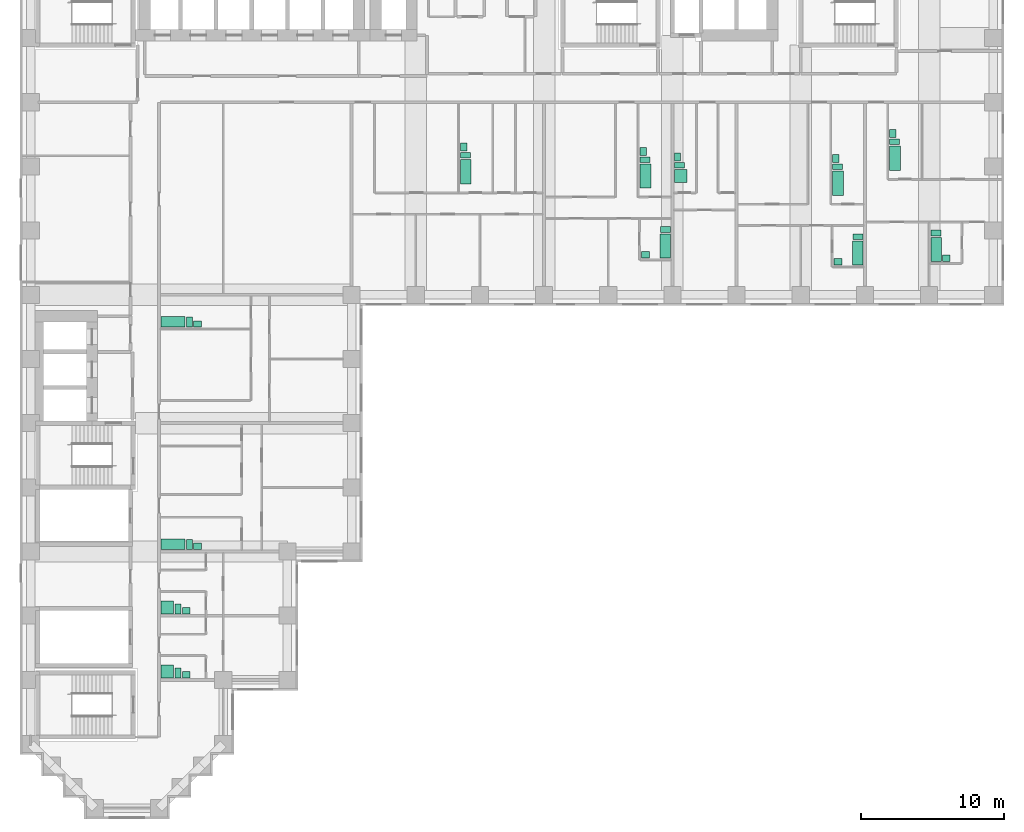
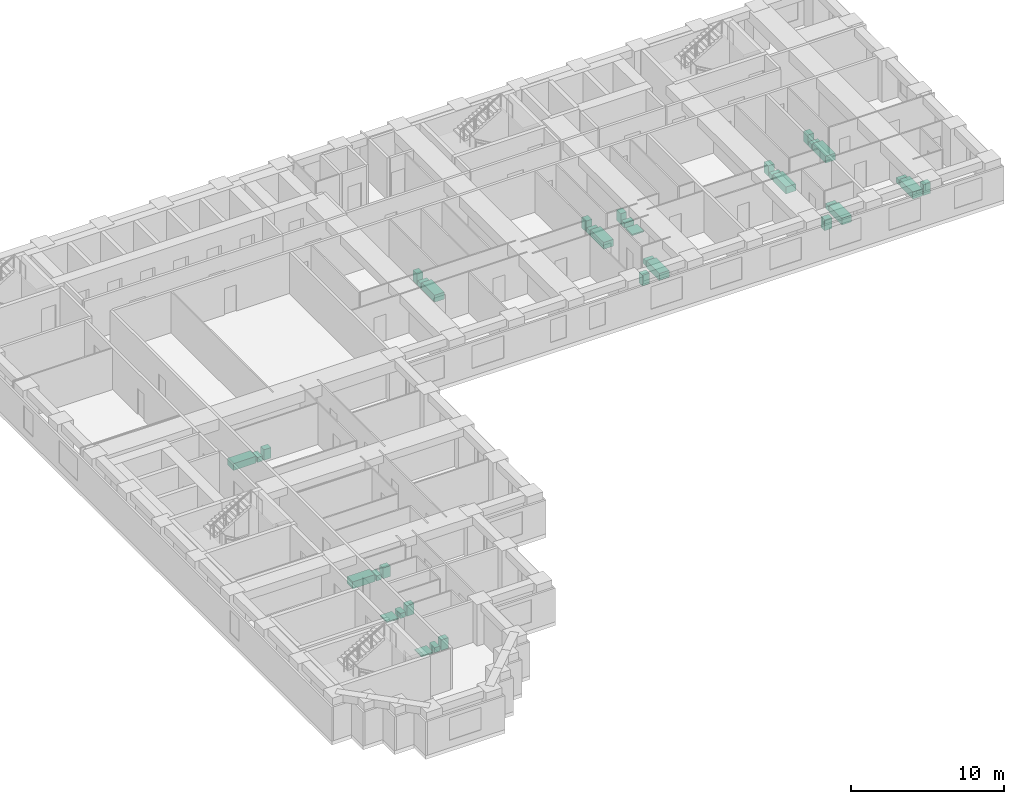
# One storey, part 12 of 12: 36 sanitary terminals.
"""IFC4 building model written with IfcOpenShell, lengths in metres."""

from ifc_helpers import new_model, si_unit, direction, frame, origin, origin_2d, place, context, subcontext, project, spatial, rectangle, extrude, material, type_object, element, save


model = new_model("IFC4")

# Units and contexts
model_context = context("Model", 3, precision=1e-05, world=origin(), true_north=direction((0.0, 1.0)))
body_context = subcontext(model_context, "Body", "Model", "MODEL_VIEW")
ifc_project = project(units=[si_unit("LENGTHUNIT", "METRE"), si_unit("AREAUNIT", "SQUARE_METRE"), si_unit("VOLUMEUNIT", "CUBIC_METRE"), si_unit("PLANEANGLEUNIT", "RADIAN"), si_unit("MASSUNIT", "GRAM", prefix="KILO")], contexts=[model_context])

# Site, building, storey
site_placement = place(None, origin())
site = spatial("IfcSite", under=ifc_project, at=site_placement, CompositionType="ELEMENT")
building_placement = place(site_placement, origin())
building = spatial("IfcBuilding", under=site, at=building_placement, Name="Firuza Court", CompositionType="ELEMENT")
storey_placement = place(building_placement, frame((0.0, 0.0, 65.0)))
storey = spatial("IfcBuildingStorey", under=building, at=storey_placement, Name="L15", CompositionType="ELEMENT", Elevation=65.0)

# Sanitary terminals
ifc_material_1 = material(Name="Vitreous china", Category="ceramic")
sanitary_terminal_type_1 = type_object("IfcSanitaryTerminalType", Name="Fixture Bath", PredefinedType="BATH", material=ifc_material_1)
for number, where, z_axis, x_axis, name in (
    (1, (30.5048828125, 44.6298828125, 0.0), (0.0, 0.0, 1.0), (1.0, 0.0, 0.0), "Bath"),
    (2, (43.10498046875, 44.330078125, 0.0), (0.0, 0.0, 1.0), (1.0, 0.0, 0.0), "Bath"),
    (3, (44.4951171875, 39.429931640625, 0.0), (0.0, 0.0, 1.0), (1.0, 0.0, 0.0), "Bath"),
    (4, (56.60498046875, 43.830078125, 0.0), (0.0, 0.0, 1.0), (1.0, 0.0, 0.0), "Bath"),
    (5, (57.9951171875, 38.929931640625, 0.0), (0.0, 0.0, 1.0), (1.0, 0.0, 0.0), "Bath"),
    (6, (60.60498046875, 45.580078125, 0.0), (0.0, 0.0, 1.0), (1.0, 0.0, 0.0), "Bath"),
    (7, (63.5048828125, 39.179931640625, 0.0), (0.0, 0.0, 1.0), (1.0, 0.0, 0.0), "Bath"),
):
    element("IfcSanitaryTerminal", number, at=place(storey_placement, frame(where, z_axis=z_axis, x_axis=x_axis)), inside=storey, type_object=sanitary_terminal_type_1, Name=name, PredefinedType="BATH", context=body_context, shape_type="SweptSolid", body=[
        extrude(rectangle(XDim=0.75, YDim=1.699951171875, at=origin_2d()), origin(), (0.0, 0.0, 1.0), 0.550048828125),
    ])
for number, where, z_axis, x_axis, name in (
    (8, (9.97998046875, 34.10498046875, 0.0), (0.0, 0.0, 1.0), (1.0, 0.0, 0.0), "Bath"),
    (9, (9.97998046875, 18.5048828125, 0.0), (0.0, 0.0, 1.0), (1.0, 0.0, 0.0), "Bath"),
):
    element("IfcSanitaryTerminal", number, at=place(storey_placement, frame(where, z_axis=z_axis, x_axis=x_axis)), inside=storey, type_object=sanitary_terminal_type_1, Name=name, PredefinedType="BATH", context=body_context, shape_type="SweptSolid", body=[
        extrude(rectangle(XDim=1.699951171875, YDim=0.75, at=origin_2d()), origin(), (0.0, 0.0, 1.0), 0.550048828125),
    ])
ifc_material_2 = material(Name="Vitreous china", Category="ceramic")
sanitary_terminal_type_2 = type_object("IfcSanitaryTerminalType", Name="Fixture Shower tray", PredefinedType="SHOWER", material=ifc_material_2)
for number, where, z_axis, x_axis, name in (
    (10, (45.580078125, 44.330078125, 0.0), (0.0, 0.0, 1.0), (1.0, 0.0, 0.0), "Shower tray"),
    (11, (9.580078125, 14.080078125, 0.0), (0.0, 0.0, 1.0), (1.0, 0.0, 0.0), "Shower tray"),
    (12, (9.580078125, 9.580078125, 0.0), (0.0, 0.0, 1.0), (1.0, 0.0, 0.0), "Shower tray"),
):
    element("IfcSanitaryTerminal", number, at=place(storey_placement, frame(where, z_axis=z_axis, x_axis=x_axis)), inside=storey, type_object=sanitary_terminal_type_2, Name=name, PredefinedType="SHOWER", context=body_context, shape_type="SweptSolid", body=[
        extrude(rectangle(XDim=0.89990234375, YDim=0.89990234375, at=origin_2d()), origin(), (0.0, 0.0, 1.0), 0.10009765625),
    ])
ifc_material_3 = material(Name="Vitreous china", Category="ceramic")
sanitary_terminal_type_3 = type_object("IfcSanitaryTerminalType", Name="Fixture WC pan", PredefinedType="TOILETPAN", material=ifc_material_3)
for number, where, z_axis, x_axis, name in (
    (13, (30.47998046875, 45.780029296875, 0.0), (0.0, 0.0, 1.0), (1.0, 0.0, 0.0), "WC pan"),
    (14, (43.080078125, 45.47998046875, 0.0), (0.0, 0.0, 1.0), (1.0, 0.0, 0.0), "WC pan"),
    (15, (44.52001953125, 40.580078125, 0.0), (0.0, 0.0, 1.0), (1.0, 0.0, 0.0), "WC pan"),
    (16, (45.47998046875, 45.080078125, 0.0), (0.0, 0.0, 1.0), (1.0, 0.0, 0.0), "WC pan"),
    (17, (56.580078125, 44.97998046875, 0.0), (0.0, 0.0, 1.0), (1.0, 0.0, 0.0), "WC pan"),
    (18, (58.02001953125, 40.080078125, 0.0), (0.0, 0.0, 1.0), (1.0, 0.0, 0.0), "WC pan"),
    (19, (60.580078125, 46.72998046875, 0.0), (0.0, 0.0, 1.0), (1.0, 0.0, 0.0), "WC pan"),
    (20, (63.47998046875, 40.330078125, 0.0), (0.0, 0.0, 1.0), (1.0, 0.0, 0.0), "WC pan"),
):
    element("IfcSanitaryTerminal", number, at=place(storey_placement, frame(where, z_axis=z_axis, x_axis=x_axis)), inside=storey, type_object=sanitary_terminal_type_3, Name=name, PredefinedType="TOILETPAN", context=body_context, shape_type="SweptSolid", body=[
        extrude(rectangle(XDim=0.699951171875, YDim=0.39990234375, at=origin_2d()), origin(), (0.0, 0.0, 1.0), 0.39990234375),
    ])
for number, where, z_axis, x_axis, name in (
    (21, (11.1298828125, 34.080078125, 0.0), (0.0, 0.0, 1.0), (1.0, 0.0, 0.0), "WC pan"),
    (22, (11.1298828125, 18.47998046875, 0.0), (0.0, 0.0, 1.0), (1.0, 0.0, 0.0), "WC pan"),
    (23, (10.330078125, 13.97998046875, 0.0), (0.0, 0.0, 1.0), (1.0, 0.0, 0.0), "WC pan"),
    (24, (10.330078125, 9.47998046875, 0.0), (0.0, 0.0, 1.0), (1.0, 0.0, 0.0), "WC pan"),
):
    element("IfcSanitaryTerminal", number, at=place(storey_placement, frame(where, z_axis=z_axis, x_axis=x_axis)), inside=storey, type_object=sanitary_terminal_type_3, Name=name, PredefinedType="TOILETPAN", context=body_context, shape_type="SweptSolid", body=[
        extrude(rectangle(XDim=0.39990234375, YDim=0.699951171875, at=origin_2d()), origin(), (0.0, 0.0, 1.0), 0.39990234375),
    ])
ifc_material_4 = material(Name="Vitreous china", Category="ceramic")
sanitary_terminal_type_4 = type_object("IfcSanitaryTerminalType", Name="Fixture Washbasin", PredefinedType="WASHHANDBASIN", material=ifc_material_4)
for number, where, z_axis, x_axis, name in (
    (25, (30.35498046875, 46.35498046875, 0.0), (0.0, 0.0, 1.0), (1.0, 0.0, 0.0), "Washbasin"),
    (26, (42.955078125, 46.054931640625, 0.0), (0.0, 0.0, 1.0), (1.0, 0.0, 0.0), "Washbasin"),
):
    element("IfcSanitaryTerminal", number, at=place(storey_placement, frame(where, z_axis=z_axis, x_axis=x_axis)), inside=storey, type_object=sanitary_terminal_type_4, Name=name, PredefinedType="WASHHANDBASIN", context=body_context, shape_type="SweptSolid", body=[
        extrude(rectangle(XDim=0.449951171875, YDim=0.550048828125, at=origin_2d()), origin(), (0.0, 0.0, 1.0), 0.85009765625),
    ])
sanitary_terminal_1_placement = place(storey_placement, frame((43.10498046875, 38.804931640625, 0.0), z_axis=(0.0, 0.0, 1.0), x_axis=(1.0, 0.0, 0.0)))
element("IfcSanitaryTerminal", 27, at=sanitary_terminal_1_placement, inside=storey, type_object=sanitary_terminal_type_4, Name="Washbasin", PredefinedType="WASHHANDBASIN", context=body_context, shape_type="SweptSolid", body=[
    extrude(rectangle(XDim=0.550048828125, YDim=0.449951171875, at=origin_2d()), origin(), (0.0, 0.0, 1.0), 0.85009765625),
])
for number, where, z_axis, x_axis, name in (
    (28, (45.35498046875, 45.655029296875, 0.0), (0.0, 0.0, 1.0), (1.0, 0.0, 0.0), "Washbasin"),
    (29, (56.455078125, 45.554931640625, 0.0), (0.0, 0.0, 1.0), (1.0, 0.0, 0.0), "Washbasin"),
):
    element("IfcSanitaryTerminal", number, at=place(storey_placement, frame(where, z_axis=z_axis, x_axis=x_axis)), inside=storey, type_object=sanitary_terminal_type_4, Name=name, PredefinedType="WASHHANDBASIN", context=body_context, shape_type="SweptSolid", body=[
        extrude(rectangle(XDim=0.449951171875, YDim=0.550048828125, at=origin_2d()), origin(), (0.0, 0.0, 1.0), 0.85009765625),
    ])
sanitary_terminal_2_placement = place(storey_placement, frame((56.60498046875, 38.304931640625, 0.0), z_axis=(0.0, 0.0, 1.0), x_axis=(1.0, 0.0, 0.0)))
element("IfcSanitaryTerminal", 30, at=sanitary_terminal_2_placement, inside=storey, type_object=sanitary_terminal_type_4, Name="Washbasin", PredefinedType="WASHHANDBASIN", context=body_context, shape_type="SweptSolid", body=[
    extrude(rectangle(XDim=0.550048828125, YDim=0.449951171875, at=origin_2d()), origin(), (0.0, 0.0, 1.0), 0.85009765625),
])
sanitary_terminal_3_placement = place(storey_placement, frame((60.455078125, 47.304931640625, 0.0), z_axis=(0.0, 0.0, 1.0), x_axis=(1.0, 0.0, 0.0)))
element("IfcSanitaryTerminal", 31, at=sanitary_terminal_3_placement, inside=storey, type_object=sanitary_terminal_type_4, Name="Washbasin", PredefinedType="WASHHANDBASIN", context=body_context, shape_type="SweptSolid", body=[
    extrude(rectangle(XDim=0.449951171875, YDim=0.550048828125, at=origin_2d()), origin(), (0.0, 0.0, 1.0), 0.85009765625),
])
for number, where, z_axis, x_axis, name in (
    (32, (64.205078125, 38.554931640625, 0.0), (0.0, 0.0, 1.0), (1.0, 0.0, 0.0), "Washbasin"),
    (33, (11.705078125, 33.955078125, 0.0), (0.0, 0.0, 1.0), (1.0, 0.0, 0.0), "Washbasin"),
    (34, (11.705078125, 18.35498046875, 0.0), (0.0, 0.0, 1.0), (1.0, 0.0, 0.0), "Washbasin"),
    (35, (10.905029296875, 13.85498046875, 0.0), (0.0, 0.0, 1.0), (1.0, 0.0, 0.0), "Washbasin"),
    (36, (10.905029296875, 9.35498046875, 0.0), (0.0, 0.0, 1.0), (1.0, 0.0, 0.0), "Washbasin"),
):
    element("IfcSanitaryTerminal", number, at=place(storey_placement, frame(where, z_axis=z_axis, x_axis=x_axis)), inside=storey, type_object=sanitary_terminal_type_4, Name=name, PredefinedType="WASHHANDBASIN", context=body_context, shape_type="SweptSolid", body=[
        extrude(rectangle(XDim=0.550048828125, YDim=0.449951171875, at=origin_2d()), origin(), (0.0, 0.0, 1.0), 0.85009765625),
    ])

save(model, "model.ifc")
